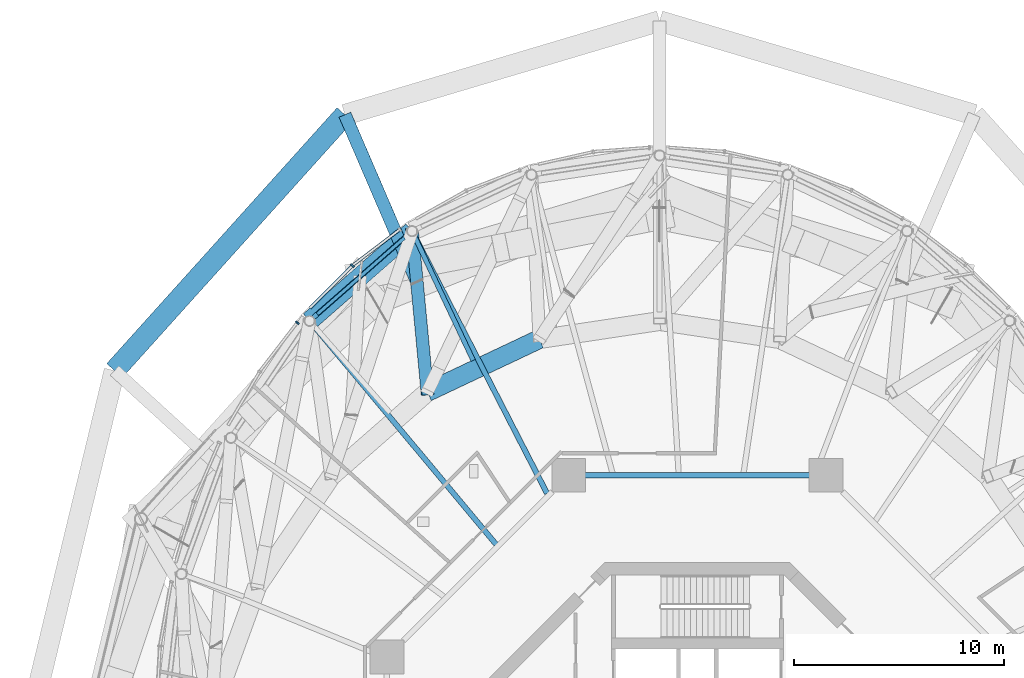
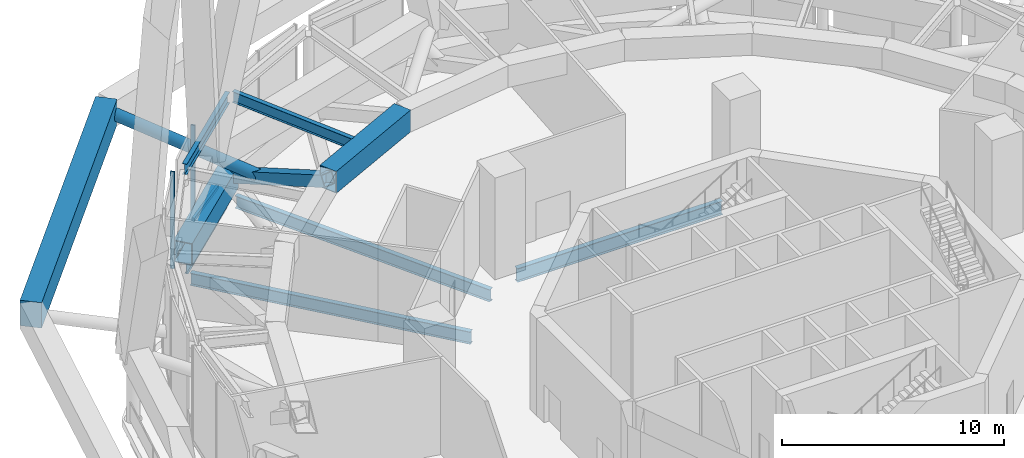
# One storey, part 21 of 48: 9 beams, 6 members, 3 elements without a shape of their own.
"""IFC4 building model written with IfcOpenShell, lengths in metres."""

from ifc_helpers import new_model, si_unit, direction, frame, origin, origin_2d, place, context, subcontext, project, spatial, rectangle, hollow_rectangle, hollow_circle, i_section, extrude, material, layer, layer_set, material_profile, profile_set, type_object, element, aggregate, save


model = new_model("IFC4")

# Units and contexts
model_context = context("Model", 3, precision=1e-05, world=origin(), true_north=direction((0.0, 1.0)))
body_context = subcontext(model_context, "Body", "Model", "MODEL_VIEW")
ifc_project = project(units=[si_unit("LENGTHUNIT", "METRE"), si_unit("AREAUNIT", "SQUARE_METRE"), si_unit("VOLUMEUNIT", "CUBIC_METRE"), si_unit("PLANEANGLEUNIT", "RADIAN"), si_unit("MASSUNIT", "GRAM", prefix="KILO")], contexts=[model_context])

# Site, building, storey
site_placement = place(None, origin())
site = spatial("IfcSite", under=ifc_project, at=site_placement, CompositionType="ELEMENT")
building_placement = place(site_placement, origin())
building = spatial("IfcBuilding", under=site, at=building_placement, Name="Nagisa Residences", CompositionType="ELEMENT")
storey_placement = place(building_placement, frame((0.0, 0.0, 252.89990234375)))
storey = spatial("IfcBuildingStorey", under=building, at=storey_placement, Name="L64", CompositionType="ELEMENT", Elevation=252.89990234375)

# Beams
ifc_material_1 = material(Name="Steel ASTM A572 Gr 50", Category="steel")
ifc_material_profile_1 = material_profile(ifc_material_1, hollow_rectangle(XDim=0.89990234375, YDim=1.199951171875, WallThickness=0.0400390625, at=origin_2d()), Name="BX 900x1200x40")
ifc_profile_set_1 = profile_set([ifc_material_profile_1], Name="Steel ASTM A572 Gr 50")
beam_type_1 = type_object("IfcBeamType", Name="Belt chord 5 BX 900x1200x40", PredefinedType="BEAM", material=ifc_profile_set_1)
beam_1_placement = place(storey_placement, frame((-7.525146484375, 21.26220703125, 4.739990234375), z_axis=(-0.904104817547, -0.427310752134, 0.0), x_axis=(0.427310752134, -0.904104817547, 0.0)))
element("IfcBeam", 1, at=beam_1_placement, inside=storey, type_object=beam_type_1, Name="beam:L64:bt5t08", PredefinedType="BEAM", context=body_context, shape_type="SweptSolid", body=[
    extrude(hollow_rectangle(XDim=0.89990234375, YDim=1.199951171875, WallThickness=0.0400390625, at=origin_2d()), origin(), (0.0, 0.0, 1.0), 5.90087890625),
])
beam_2_placement = place(storey_placement, frame((-13.5849609375, 26.405029296875, 0.60009765625), z_axis=(-0.752439140648, -0.658661779383, 0.0), x_axis=(0.658661779383, -0.752439140648, 0.0)))
element("IfcBeam", 2, at=beam_2_placement, inside=storey, type_object=beam_type_1, Name="beam:L64:bt5b09", PredefinedType="BEAM", context=body_context, shape_type="SweptSolid", body=[
    extrude(hollow_rectangle(XDim=0.89990234375, YDim=1.199951171875, WallThickness=0.0400390625, at=origin_2d()), origin(), (0.0, 0.0, 1.0), 6.48779296875),
])
ifc_material_2 = material(Name="Steel ASTM A572 Gr 50", Category="steel")
ifc_material_profile_2 = material_profile(ifc_material_2, hollow_rectangle(XDim=0.60009765625, YDim=0.60009765625, WallThickness=0.034912109375, at=origin_2d()), Name="BX 600x600x35")
ifc_profile_set_2 = profile_set([ifc_material_profile_2], Name="Steel ASTM A572 Gr 50")
beam_type_2 = type_object("IfcBeamType", Name="Belt diagonal 5 BX 600x600x35", PredefinedType="BEAM", material=ifc_profile_set_2)
beam_3_placement = place(storey_placement, frame((-13.5849609375, 26.405029296875, 0.60009765625), z_axis=(0.082925350317, -0.876818970191, 0.473615751203), x_axis=(0.995557542987, 0.09415507741, 0.0)))
element("IfcBeam", 3, at=beam_3_placement, inside=storey, type_object=beam_type_2, Name="beam:L64:bt5da09", PredefinedType="BEAM", context=body_context, shape_type="SweptSolid", body=[
    extrude(hollow_rectangle(XDim=0.60009765625, YDim=0.60009765625, WallThickness=0.034912109375, at=origin_2d()), origin(), (0.0, 0.0, 1.0), 8.740966796875),
])

# Curtain wall, member
ifc_material_3 = material(Name="Aluminium curtain wall system", Category="aluminium")
ifc_layer = layer(ifc_material_3, 0.159912109375)
ifc_layer_set = layer_set([ifc_layer], Name="CW2 CURTAIN WALL")
curtain_wall_type = type_object("IfcCurtainWallType", Name="CW2 CURTAIN WALL", PredefinedType="NOTDEFINED", material=ifc_layer_set)
curtain_wall_1_placement = place(storey_placement, origin())
curtain_wall_1 = element("IfcCurtainWall", 4, at=curtain_wall_1_placement, inside=storey, type_object=curtain_wall_type, Name="cw:CW2:L64:17", PredefinedType="NOTDEFINED")
ifc_material_4 = material(Name="Aluminium", Category="aluminium")
ifc_material_profile_3 = material_profile(ifc_material_4, rectangle(XDim=0.199951171875, YDim=0.080078125, at=origin_2d()), Name="CW2 MULLION 200x80")
ifc_profile_set_3 = profile_set([ifc_material_profile_3], Name="Aluminium")
member_type_1 = type_object("IfcMemberType", Name="CW2 MULLION 200x80", PredefinedType="MULLION", material=ifc_profile_set_3)
member_1_placement = place(storey_placement, frame((-16.4248046875, 24.7626953125, 0.0), z_axis=(0.0, 0.0, 1.0), x_axis=(0.706376885714, -0.707835924016, 0.0)))
member_1 = element("IfcMember", 5, at=member_1_placement, type_object=member_type_1, Name="CW2 mullion", PredefinedType="MULLION", context=body_context, shape_type="SweptSolid", body=[
    extrude(rectangle(XDim=0.199951171875, YDim=0.080078125, at=origin_2d()), origin(), (0.0, 0.0, 1.0), 5.340087890625),
])

curtain_wall_2_placement = place(storey_placement, origin())
curtain_wall_2 = element("IfcCurtainWall", 6, at=curtain_wall_2_placement, inside=storey, type_object=curtain_wall_type, Name="cw:CW2:L64:18", PredefinedType="NOTDEFINED")
member_2_placement = place(storey_placement, frame((-19.055908203125, 22.04833984375, 0.0), z_axis=(0.0, 0.0, 1.0), x_axis=(0.792070340816, -0.610429828235, 0.0)))
member_2 = element("IfcMember", 7, at=member_2_placement, type_object=member_type_1, Name="CW2 mullion", PredefinedType="MULLION", context=body_context, shape_type="SweptSolid", body=[
    extrude(rectangle(XDim=0.199951171875, YDim=0.080078125, at=origin_2d()), origin(), (0.0, 0.0, 1.0), 5.340087890625),
])
aggregate(curtain_wall_2, [member_2])

curtain_wall_3_placement = place(storey_placement, origin())
curtain_wall_3 = element("IfcCurtainWall", 8, at=curtain_wall_3_placement, inside=storey, type_object=curtain_wall_type, Name="cw:CW2:L64:16", PredefinedType="NOTDEFINED")
ifc_material_5 = material(Name="Aluminium", Category="aluminium")
ifc_material_profile_4 = material_profile(ifc_material_5, rectangle(XDim=0.139892578125, YDim=0.179931640625, at=origin_2d()), Name="CW2 TRANSOM 140x180")
ifc_profile_set_4 = profile_set([ifc_material_profile_4], Name="Aluminium")
member_type_2 = type_object("IfcMemberType", Name="CW2 TRANSOM 140x180", PredefinedType="USERDEFINED", material=ifc_profile_set_4)
member_3_placement = place(storey_placement, frame((-14.144775390625, 26.502197265625, 0.090087890625), z_axis=(-0.796019652115, -0.605270776964, 0.0), x_axis=(0.605270776964, -0.796019652115, 0.0)))
member_3 = element("IfcMember", 9, at=member_3_placement, type_object=member_type_2, Name="CW2 transom", ObjectType="TRANSOM", PredefinedType="USERDEFINED", context=body_context, shape_type="SweptSolid", body=[
    extrude(rectangle(XDim=0.139892578125, YDim=0.179931640625, at=origin_2d()), origin(), (0.0, 0.0, 1.0), 2.8388671875),
])
aggregate(curtain_wall_3, [member_3])

# Member
member_4_placement = place(storey_placement, frame((-16.396484375, 24.791015625, 0.090087890625), z_axis=(-0.707823435791, -0.706389399513, 0.0), x_axis=(0.706389399513, -0.707823435791, 0.0)))
member_4 = element("IfcMember", 10, at=member_4_placement, type_object=member_type_2, Name="CW2 transom", ObjectType="TRANSOM", PredefinedType="USERDEFINED", context=body_context, shape_type="SweptSolid", body=[
    extrude(rectangle(XDim=0.139892578125, YDim=0.179931640625, at=origin_2d()), origin(), (0.0, 0.0, 1.0), 2.894287109375),
])

aggregate(curtain_wall_1, [member_1, member_4])

# Members
ifc_material_6 = material(Name="Concrete C80", Category="concrete")
ifc_material_profile_5 = material_profile(ifc_material_6, rectangle(XDim=1.0, YDim=1.39990234375, at=origin_2d()), Name="C80 1000x1400")
ifc_profile_set_5 = profile_set([ifc_material_profile_5], Name="Concrete C80")
member_type_3 = type_object("IfcMemberType", Name="Cage ring 5 C80 1000x1400", PredefinedType="CHORD", material=ifc_profile_set_5)
member_5_placement = place(storey_placement, frame((-16.784912109375, 31.94775390625, 1.900146484375), z_axis=(-0.669079899601, -0.743190478915, 0.0), x_axis=(0.743190478915, -0.669079899601, 0.0)))
element("IfcMember", 11, at=member_5_placement, inside=storey, type_object=member_type_3, Name="beam:L64:cg5r105", PredefinedType="CHORD", context=body_context, shape_type="SweptSolid", body=[
    extrude(rectangle(XDim=1.0, YDim=1.39990234375, at=origin_2d()), origin(), (0.0, 0.0, 1.0), 16.3955078125),
])
ifc_material_7 = material(Name="Steel ASTM A572 Gr 65", Category="steel")
ifc_material_profile_6 = material_profile(ifc_material_7, hollow_circle(Radius=0.304931640625, WallThickness=0.02490234375, at=origin_2d()), Name="CHS 610x25")
ifc_profile_set_6 = profile_set([ifc_material_profile_6], Name="Steel ASTM A572 Gr 65")
member_type_4 = type_object("IfcMemberType", Name="Cage strut CHS 610x25", PredefinedType="STRUT", material=ifc_profile_set_6)
member_6_placement = place(storey_placement, frame((-16.784912109375, 31.94775390625, 1.900146484375), z_axis=(0.395936782123, -0.918277770918, 0.0), x_axis=(0.918277770918, 0.395936782123, 0.0)))
element("IfcMember", 12, at=member_6_placement, inside=storey, type_object=member_type_4, Name="mem:L64:bt5st5a05", PredefinedType="STRUT", context=body_context, shape_type="SweptSolid", body=[
    extrude(hollow_circle(Radius=0.304931640625, WallThickness=0.02490234375, at=origin_2d()), origin(), (0.0, 0.0, 1.0), 8.65673828125),
])

# Beams
ifc_material_8 = material(Name="Steel ASTM A572 Gr 50", Category="steel")
ifc_material_profile_7 = material_profile(ifc_material_8, i_section(OverallWidth=0.22802734375, OverallDepth=0.60302734375, WebThickness=0.010498046875, FlangeThickness=0.014892578125, at=origin_2d()), Name="W610x101")
ifc_profile_set_7 = profile_set([ifc_material_profile_7], Name="Steel ASTM A572 Gr 50")
beam_type_3 = type_object("IfcBeamType", Name="Garden edge beam W610x101", PredefinedType="BEAM", material=ifc_profile_set_7)
beam_4_placement = place(storey_placement, frame((-13.760986328125, 26.2509765625, 5.03857421875), z_axis=(-0.752433475132, -0.658668251475, 0.0), x_axis=(0.658668251475, -0.752433475132, 0.0)))
element("IfcBeam", 13, at=beam_4_placement, inside=storey, type_object=beam_type_3, Name="beam:L64:bt5ge09", PredefinedType="BEAM", context=body_context, shape_type="SweptSolid", body=[
    extrude(i_section(OverallWidth=0.22802734375, OverallDepth=0.60302734375, WebThickness=0.010498046875, FlangeThickness=0.014892578125, at=origin_2d()), origin(), (0.0, 0.0, 1.0), 6.019775390625),
])
ifc_material_9 = material(Name="Steel ASTM A572 Gr 50", Category="steel")
ifc_material_profile_8 = material_profile(ifc_material_9, i_section(OverallWidth=0.22802734375, OverallDepth=0.60302734375, WebThickness=0.010498046875, FlangeThickness=0.014892578125, at=origin_2d()), Name="W610x101")
ifc_profile_set_8 = profile_set([ifc_material_profile_8], Name="Steel ASTM A572 Gr 50")
beam_type_4 = type_object("IfcBeamType", Name="Garden radial beam W610x101", PredefinedType="BEAM", material=ifc_profile_set_8)
beam_5_placement = place(storey_placement, frame((-13.485107421875, 26.193603515625, 5.03857421875), z_axis=(0.427336024817, -0.904092872383, 0.0), x_axis=(0.904092872383, 0.427336024817, 0.0)))
element("IfcBeam", 14, at=beam_5_placement, inside=storey, type_object=beam_type_4, Name="beam:L64:bt5gr09", PredefinedType="BEAM", context=body_context, shape_type="SweptSolid", body=[
    extrude(i_section(OverallWidth=0.22802734375, OverallDepth=0.60302734375, WebThickness=0.010498046875, FlangeThickness=0.014892578125, at=origin_2d()), origin(), (0.0, 0.0, 1.0), 6.5751953125),
])
ifc_material_10 = material(Name="Steel ASTM A572 Gr 50", Category="steel")
ifc_material_profile_9 = material_profile(ifc_material_10, i_section(OverallWidth=0.264892578125, OverallDepth=0.7529296875, WebThickness=0.01318359375, FlangeThickness=0.01708984375, at=origin_2d()), Name="W760x147")
ifc_profile_set_9 = profile_set([ifc_material_profile_9], Name="Steel ASTM A572 Gr 50")
beam_type_5 = type_object("IfcBeamType", Name="Inner ring beam W760x147", PredefinedType="BEAM", material=ifc_profile_set_9)
beam_6_placement = place(storey_placement, frame((5.343017578125, 14.781982421875, -0.726318359375), z_axis=(-1.0, 0.0, 0.0), x_axis=(0.0, -1.0, 0.0)))
element("IfcBeam", 15, at=beam_6_placement, inside=storey, type_object=beam_type_5, Name="beam:L64:ib2", PredefinedType="BEAM", context=body_context, shape_type="SweptSolid", body=[
    extrude(i_section(OverallWidth=0.264892578125, OverallDepth=0.7529296875, WebThickness=0.01318359375, FlangeThickness=0.01708984375, at=origin_2d()), origin(), (0.0, 0.0, 1.0), 10.68603515625),
])
ifc_material_11 = material(Name="Steel ASTM A572 Gr 50", Category="steel")
ifc_material_profile_10 = material_profile(ifc_material_11, i_section(OverallWidth=0.166015625, OverallDepth=0.534912109375, WebThickness=0.01025390625, FlangeThickness=0.0166015625, at=origin_2d()), Name="W530x85")
ifc_profile_set_10 = profile_set([ifc_material_profile_10], Name="Steel ASTM A572 Gr 50")
beam_type_6 = type_object("IfcBeamType", Name="Perimeter ring beam W530x85", PredefinedType="BEAM", material=ifc_profile_set_10)
beam_7_placement = place(storey_placement, frame((-13.94970703125, 26.085693359375, -0.617431640625), z_axis=(-0.75242320672, -0.65867998147, 0.0), x_axis=(0.65867998147, -0.75242320672, 0.0)))
element("IfcBeam", 16, at=beam_7_placement, inside=storey, type_object=beam_type_6, Name="beam:L64:pb09", PredefinedType="BEAM", context=body_context, shape_type="SweptSolid", body=[
    extrude(i_section(OverallWidth=0.166015625, OverallDepth=0.534912109375, WebThickness=0.01025390625, FlangeThickness=0.0166015625, at=origin_2d()), origin(), (0.0, 0.0, 1.0), 5.5185546875),
])
ifc_material_12 = material(Name="Steel ASTM A572 Gr 50", Category="steel")
ifc_material_profile_11 = material_profile(ifc_material_12, i_section(OverallWidth=0.2529296875, OverallDepth=0.677978515625, WebThickness=0.01171875, FlangeThickness=0.016357421875, at=origin_2d()), Name="W690x125")
ifc_profile_set_11 = profile_set([ifc_material_profile_11], Name="Steel ASTM A572 Gr 50")
beam_type_7 = type_object("IfcBeamType", Name="Radial beam W690x125", PredefinedType="BEAM", material=ifc_profile_set_11)
beam_8_placement = place(storey_placement, frame((-13.41015625, 26.065185546875, -0.68896484375), z_axis=(0.457499330793, -0.889209965264, 0.0), x_axis=(0.889209965264, 0.457499330793, 0.0)))
element("IfcBeam", 17, at=beam_8_placement, inside=storey, type_object=beam_type_7, Name="beam:L64:rb09", PredefinedType="BEAM", context=body_context, shape_type="SweptSolid", body=[
    extrude(i_section(OverallWidth=0.2529296875, OverallDepth=0.677978515625, WebThickness=0.01171875, FlangeThickness=0.016357421875, at=origin_2d()), origin(), (0.0, 0.0, 1.0), 13.67041015625),
])
beam_9_placement = place(storey_placement, frame((-18.219970703125, 21.83642578125, -0.68896484375), z_axis=(0.640654436066, -0.767829338817, 0.0), x_axis=(0.767829338817, 0.640654436066, 0.0)))
element("IfcBeam", 18, at=beam_9_placement, inside=storey, type_object=beam_type_7, Name="beam:L64:rb10", PredefinedType="BEAM", context=body_context, shape_type="SweptSolid", body=[
    extrude(i_section(OverallWidth=0.2529296875, OverallDepth=0.677978515625, WebThickness=0.01171875, FlangeThickness=0.016357421875, at=origin_2d()), origin(), (0.0, 0.0, 1.0), 13.484130859375),
])

save(model, "model.ifc")
